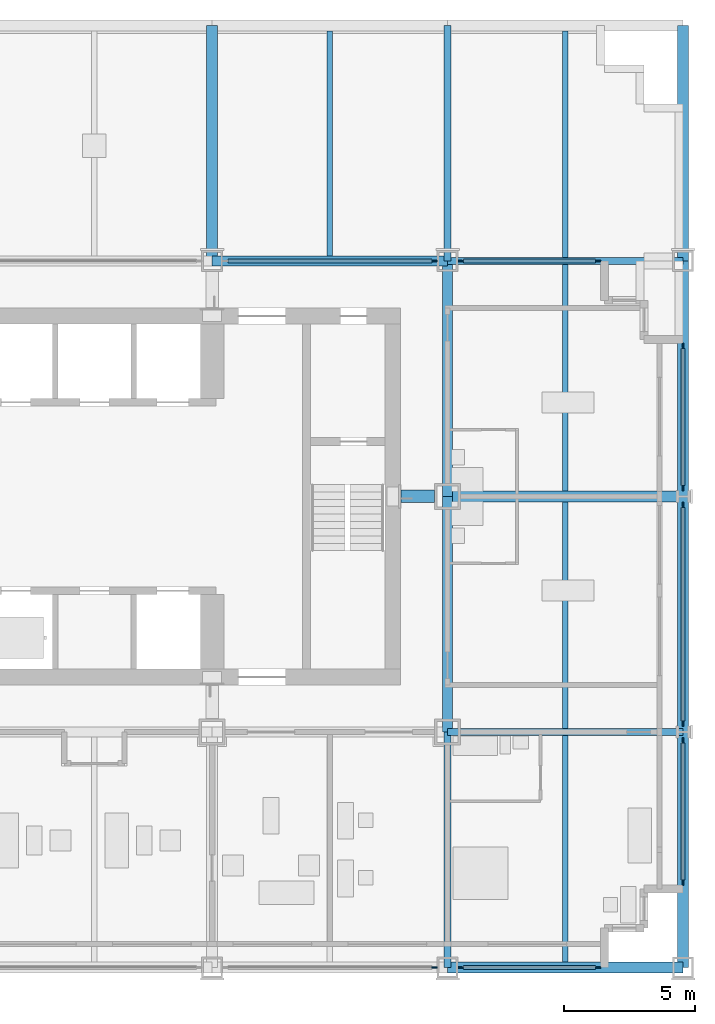
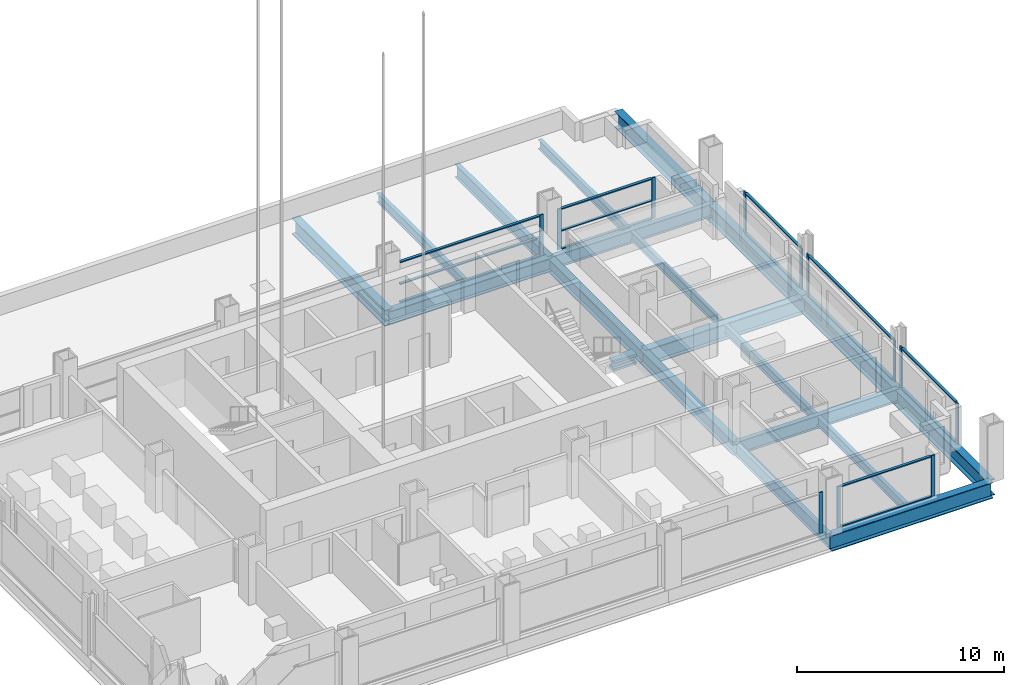
# One storey, part 5 of 15: 27 members, 19 beams, 7 elements without a shape of their own.
"""IFC4 building model written with IfcOpenShell, lengths in metres."""

from ifc_helpers import new_model, si_unit, direction, frame, origin, origin_2d, place, context, subcontext, project, spatial, rectangle, i_section, extrude, material, material_profile, profile_set, type_object, element, aggregate, save


model = new_model("IFC4")

# Units and contexts
model_context = context("Model", 3, precision=1e-05, world=origin(), true_north=direction((0.0, 1.0)))
body_context = subcontext(model_context, "Body", "Model", "MODEL_VIEW")
ifc_project = project(units=[si_unit("LENGTHUNIT", "METRE"), si_unit("AREAUNIT", "SQUARE_METRE"), si_unit("VOLUMEUNIT", "CUBIC_METRE"), si_unit("PLANEANGLEUNIT", "RADIAN"), si_unit("MASSUNIT", "GRAM", prefix="KILO")], contexts=[model_context])

# Site, building, storey
site_placement = place(None, origin())
site = spatial("IfcSite", under=ifc_project, at=site_placement, CompositionType="ELEMENT")
building_placement = place(site_placement, origin())
building = spatial("IfcBuilding", under=site, at=building_placement, Name="Loomwork Tower", CompositionType="ELEMENT")
storey_placement = place(building_placement, frame((0.0, 0.0, 160.39990234375)))
storey = spatial("IfcBuildingStorey", under=building, at=storey_placement, Name="L43", CompositionType="ELEMENT", Elevation=160.39990234375)

# Beams
ifc_material_1 = material(Name="Steel ASTM A992", Category="steel")
ifc_material_profile_1 = material_profile(ifc_material_1, i_section(OverallWidth=0.424072265625, OverallDepth=0.947509765625, WebThickness=0.02392578125, FlangeThickness=0.042724609375, at=origin_2d()), Name="W36x302")
ifc_profile_set_1 = profile_set([ifc_material_profile_1], Name="Steel ASTM A992")
beam_type_1 = type_object("IfcBeamType", Name="BELT CHORD SPANDREL W36x302", PredefinedType="SPANDREL", material=ifc_profile_set_1)
for number, where, z_axis, x_axis, name in (
    (1, (36.0, 0.0, -0.673583984375), (1.0, 0.0, 0.0), (0.0, 1.0, 0.0), "Belt Chord Spandrel D/6-D/7 L43"),
    (2, (45.0, 0.0, -0.673583984375), (0.0, 1.0, 0.0), (-1.0, 0.0, 0.0), "Belt Chord Spandrel D/7-E/7 L43"),
    (3, (45.0, 9.0, -0.673583984375), (0.0, 1.0, 0.0), (-1.0, 0.0, 0.0), "Belt Chord Spandrel E/7-F/7 L43"),
    (4, (45.0, 18.0, -0.673583984375), (0.0, 1.0, 0.0), (-1.0, 0.0, 0.0), "Belt Chord Spandrel F/7-G/7 L43"),
    (5, (45.0, 27.0, -0.673583984375), (0.0, 1.0, 0.0), (-1.0, 0.0, 0.0), "Belt Chord Spandrel G/7-H/7 L43"),
):
    element("IfcBeam", number, at=place(storey_placement, frame(where, z_axis=z_axis, x_axis=x_axis)), inside=storey, type_object=beam_type_1, Name=name, PredefinedType="SPANDREL", context=body_context, shape_type="SweptSolid", body=[
        extrude(i_section(OverallWidth=0.424072265625, OverallDepth=0.947509765625, WebThickness=0.02392578125, FlangeThickness=0.042724609375, at=origin_2d()), origin(), (0.0, 0.0, 1.0), 9.0),
    ])
ifc_material_2 = material(Name="Steel ASTM A992", Category="steel")
ifc_material_profile_2 = material_profile(ifc_material_2, i_section(OverallWidth=0.383544921875, OverallDepth=0.794921875, WebThickness=0.02099609375, FlangeThickness=0.0380859375, at=origin_2d()), Name="W30x235")
ifc_profile_set_2 = profile_set([ifc_material_profile_2], Name="Steel ASTM A992")
beam_type_2 = type_object("IfcBeamType", Name="CORE FLANK GIRDER W30x235", PredefinedType="BEAM", material=ifc_profile_set_2)
for number, where, z_axis, x_axis, name in (
    (6, (27.0, 27.0, -0.597412109375), (1.0, 0.0, 0.0), (0.0, 1.0, 0.0), "Core Flank Girder G/5-G/6 L43"),
    (7, (36.0, 9.0, -0.597412109375), (0.0, 1.0, 0.0), (-1.0, 0.0, 0.0), "Core Flank Girder E/6-F/6 L43"),
    (8, (36.0, 18.0, -0.597412109375), (0.0, 1.0, 0.0), (-1.0, 0.0, 0.0), "Core Flank Girder F/6-G/6 L43"),
):
    element("IfcBeam", number, at=place(storey_placement, frame(where, z_axis=z_axis, x_axis=x_axis)), inside=storey, type_object=beam_type_2, Name=name, PredefinedType="BEAM", context=body_context, shape_type="SweptSolid", body=[
        extrude(i_section(OverallWidth=0.383544921875, OverallDepth=0.794921875, WebThickness=0.02099609375, FlangeThickness=0.0380859375, at=origin_2d()), origin(), (0.0, 0.0, 1.0), 9.0),
    ])
ifc_material_3 = material(Name="Steel ASTM A992", Category="steel")
ifc_material_profile_3 = material_profile(ifc_material_3, i_section(OverallWidth=0.2666015625, OverallDepth=0.761962890625, WebThickness=0.014404296875, FlangeThickness=0.021484375, at=origin_2d()), Name="W30x116")
ifc_profile_set_3 = profile_set([ifc_material_profile_3], Name="Steel ASTM A992")
beam_type_3 = type_object("IfcBeamType", Name="FLOOR GIRDER W30x116", PredefinedType="BEAM", material=ifc_profile_set_3)
for number, where, z_axis, x_axis, name in (
    (9, (36.0, 9.0, -0.580810546875), (1.0, 0.0, 0.0), (0.0, 1.0, 0.0), "Floor Girder E/6-E/7 L43"),
    (10, (36.0, 27.0, -0.580810546875), (1.0, 0.0, 0.0), (0.0, 1.0, 0.0), "Floor Girder G/6-G/7 L43"),
    (11, (36.0, 0.0, -0.580810546875), (0.0, 1.0, 0.0), (-1.0, 0.0, 0.0), "Floor Girder D/6-E/6 L43"),
    (12, (36.0, 27.0, -0.580810546875), (0.0, 1.0, 0.0), (-1.0, 0.0, 0.0), "Floor Girder G/6-H/6 L43"),
):
    element("IfcBeam", number, at=place(storey_placement, frame(where, z_axis=z_axis, x_axis=x_axis)), inside=storey, type_object=beam_type_3, Name=name, PredefinedType="BEAM", context=body_context, shape_type="SweptSolid", body=[
        extrude(i_section(OverallWidth=0.2666015625, OverallDepth=0.761962890625, WebThickness=0.014404296875, FlangeThickness=0.021484375, at=origin_2d()), origin(), (0.0, 0.0, 1.0), 9.0),
    ])
ifc_material_4 = material(Name="Steel ASTM A992", Category="steel")
ifc_material_profile_4 = material_profile(ifc_material_4, i_section(OverallWidth=0.21240234375, OverallDepth=0.54345703125, WebThickness=0.01318359375, FlangeThickness=0.021240234375, at=origin_2d()), Name="W21x83")
ifc_profile_set_4 = profile_set([ifc_material_profile_4], Name="Steel ASTM A992")
beam_type_4 = type_object("IfcBeamType", Name="FLOOR JOIST W21x83", PredefinedType="JOIST", material=ifc_profile_set_4)
beam_placement = place(storey_placement, frame((31.5, 27.19091796875, -0.4716796875), z_axis=(0.0, 1.0, 0.0), x_axis=(-1.0, 0.0, 0.0)))
element("IfcBeam", 13, at=beam_placement, inside=storey, type_object=beam_type_4, Name="Floor Joist 31.500,27.000-31.500,36.000 L43", PredefinedType="JOIST", context=body_context, shape_type="SweptSolid", body=[
    extrude(i_section(OverallWidth=0.21240234375, OverallDepth=0.54345703125, WebThickness=0.01318359375, FlangeThickness=0.021240234375, at=origin_2d()), origin(), (0.0, 0.0, 1.0), 8.59716796875),
])
for number, where, z_axis, x_axis, name in (
    (14, (40.5, 0.2119140625, -0.4716796875), (0.0, 1.0, 0.0), (-1.0, 0.0, 0.0), "Floor Joist 40.500,0.000-40.500,9.000 L43"),
    (15, (40.5, 9.133056640625, -0.4716796875), (0.0, 1.0, 0.0), (-1.0, 0.0, 0.0), "Floor Joist 40.500,9.000-40.500,18.000 L43"),
    (16, (40.5, 18.2119140625, -0.4716796875), (0.0, 1.0, 0.0), (-1.0, 0.0, 0.0), "Floor Joist 40.500,18.000-40.500,27.000 L43"),
    (17, (40.5, 27.133056640625, -0.4716796875), (0.0, 1.0, 0.0), (-1.0, 0.0, 0.0), "Floor Joist 40.500,27.000-40.500,36.000 L43"),
):
    element("IfcBeam", number, at=place(storey_placement, frame(where, z_axis=z_axis, x_axis=x_axis)), inside=storey, type_object=beam_type_4, Name=name, PredefinedType="JOIST", context=body_context, shape_type="SweptSolid", body=[
        extrude(i_section(OverallWidth=0.21240234375, OverallDepth=0.54345703125, WebThickness=0.01318359375, FlangeThickness=0.021240234375, at=origin_2d()), origin(), (0.0, 0.0, 1.0), 8.655029296875),
    ])
ifc_material_5 = material(Name="Steel ASTM A992", Category="steel")
ifc_material_profile_5 = material_profile(ifc_material_5, i_section(OverallWidth=0.424072265625, OverallDepth=0.947509765625, WebThickness=0.02392578125, FlangeThickness=0.042724609375, at=origin_2d()), Name="W36x302")
ifc_profile_set_5 = profile_set([ifc_material_profile_5], Name="Steel ASTM A992")
beam_type_5 = type_object("IfcBeamType", Name="OUTRIGGER GIRDER W36x302", PredefinedType="BEAM", material=ifc_profile_set_5)
for number, where, z_axis, x_axis, name in (
    (18, (36.0, 18.0, -0.673583984375), (1.0, 0.0, 0.0), (0.0, 1.0, 0.0), "Outrigger Girder F/6-F/7 L43"),
    (19, (27.0, 27.0, -0.673583984375), (0.0, 1.0, 0.0), (-1.0, 0.0, 0.0), "Outrigger Girder G/5-H/5 L43"),
):
    element("IfcBeam", number, at=place(storey_placement, frame(where, z_axis=z_axis, x_axis=x_axis)), inside=storey, type_object=beam_type_5, Name=name, PredefinedType="BEAM", context=body_context, shape_type="SweptSolid", body=[
        extrude(i_section(OverallWidth=0.424072265625, OverallDepth=0.947509765625, WebThickness=0.02392578125, FlangeThickness=0.042724609375, at=origin_2d()), origin(), (0.0, 0.0, 1.0), 9.0),
    ])

# Member
ifc_material_6 = material(Name="Steel ASTM A992", Category="steel")
ifc_material_profile_6 = material_profile(ifc_material_6, i_section(OverallWidth=0.4775390625, OverallDepth=0.599365234375, WebThickness=0.10009765625, FlangeThickness=0.139892578125, at=origin_2d()), Name="W14x873")
ifc_profile_set_6 = profile_set([ifc_material_profile_6], Name="Steel ASTM A992")
member_type_1 = type_object("IfcMemberType", Name="OUTRIGGER STRUT W14x873", PredefinedType="STRUT", material=ifc_profile_set_6)
member_1_placement = place(storey_placement, frame((35.489990234375, 18.0, -0.49951171875), z_axis=(-1.0, 0.0, 0.0), x_axis=(0.0, -1.0, 0.0)))
element("IfcMember", 20, at=member_1_placement, inside=storey, type_object=member_type_1, Name="Outrigger strut F/6-33.900,18.000 L43", PredefinedType="STRUT", context=body_context, shape_type="SweptSolid", body=[
    extrude(i_section(OverallWidth=0.4775390625, OverallDepth=0.599365234375, WebThickness=0.10009765625, FlangeThickness=0.139892578125, at=origin_2d()), origin(), (0.0, 0.0, 1.0), 1.27490234375),
])

# Curtain wall, member
ifc_material_7 = material(Name="Aluminium curtain wall frame", Category="aluminium")
curtain_wall_type_1 = type_object("IfcCurtainWallType", Name="Outer skin glazing hotel", PredefinedType="NOTDEFINED", material=ifc_material_7)
curtain_wall_1_placement = place(storey_placement, origin())
curtain_wall_1 = element("IfcCurtainWall", 21, at=curtain_wall_1_placement, inside=storey, type_object=curtain_wall_type_1, Name="Outer skin glazing hotel cw/S-27", PredefinedType="NOTDEFINED")
ifc_material_8 = material(Name="Aluminium curtain wall frame", Category="aluminium")
ifc_material_profile_7 = material_profile(ifc_material_8, rectangle(XDim=0.06494140625, YDim=0.199951171875, at=origin_2d()), Name="AL 65x200")
ifc_profile_set_7 = profile_set([ifc_material_profile_7], Name="Aluminium curtain wall frame")
member_type_2 = type_object("IfcMemberType", Name="Outer skin glazing hotel mullion", PredefinedType="MULLION", material=ifc_profile_set_7)
member_2_placement = place(storey_placement, frame((35.5, 0.0, 0.0), z_axis=(0.0, 0.0, 1.0), x_axis=(0.0, 1.0, 0.0)))
member_2 = element("IfcMember", 22, at=member_2_placement, type_object=member_type_2, Name="CW1 mullion 2", PredefinedType="MULLION", context=body_context, shape_type="SweptSolid", body=[
    extrude(rectangle(XDim=0.06494140625, YDim=0.199951171875, at=origin_2d()), origin(), (0.0, 0.0, 1.0), 2.42041015625),
])
aggregate(curtain_wall_1, [member_2])

# Curtain wall, members
curtain_wall_2_placement = place(storey_placement, origin())
curtain_wall_2 = element("IfcCurtainWall", 23, at=curtain_wall_2_placement, inside=storey, type_object=curtain_wall_type_1, Name="Outer skin glazing hotel cw/S-36", PredefinedType="NOTDEFINED")
member_3_placement = place(storey_placement, frame((36.5, 0.0, 0.0), z_axis=(0.0, 0.0, 1.0), x_axis=(0.0, 1.0, 0.0)))
member_3 = element("IfcMember", 24, at=member_3_placement, type_object=member_type_2, Name="CW1 mullion 1", PredefinedType="MULLION", context=body_context, shape_type="SweptSolid", body=[
    extrude(rectangle(XDim=0.06494140625, YDim=0.199951171875, at=origin_2d()), origin(), (0.0, 0.0, 1.0), 2.42041015625),
])
member_4_placement = place(storey_placement, frame((41.75, 0.0, 0.0), z_axis=(0.0, 0.0, 1.0), x_axis=(0.0, 1.0, 0.0)))
member_4 = element("IfcMember", 25, at=member_4_placement, type_object=member_type_2, Name="CW1 mullion 2", PredefinedType="MULLION", context=body_context, shape_type="SweptSolid", body=[
    extrude(rectangle(XDim=0.06494140625, YDim=0.199951171875, at=origin_2d()), origin(), (0.0, 0.0, 1.0), 2.42041015625),
])

curtain_wall_3_placement = place(storey_placement, origin())
curtain_wall_3 = element("IfcCurtainWall", 26, at=curtain_wall_3_placement, inside=storey, type_object=curtain_wall_type_1, Name="Outer skin glazing hotel cw/E-0", PredefinedType="NOTDEFINED")
member_5_placement = place(storey_placement, frame((45.0, 3.25, 0.0), z_axis=(0.0, 0.0, 1.0), x_axis=(-1.0, 0.0, 0.0)))
member_5 = element("IfcMember", 27, at=member_5_placement, type_object=member_type_2, Name="CW1 mullion 1", PredefinedType="MULLION", context=body_context, shape_type="SweptSolid", body=[
    extrude(rectangle(XDim=0.06494140625, YDim=0.199951171875, at=origin_2d()), origin(), (0.0, 0.0, 1.0), 2.42041015625),
])
member_6_placement = place(storey_placement, frame((45.0, 8.67529296875, 0.0), z_axis=(0.0, 0.0, 1.0), x_axis=(-1.0, 0.0, 0.0)))
member_6 = element("IfcMember", 28, at=member_6_placement, type_object=member_type_2, Name="CW1 mullion 2", PredefinedType="MULLION", context=body_context, shape_type="SweptSolid", body=[
    extrude(rectangle(XDim=0.06494140625, YDim=0.199951171875, at=origin_2d()), origin(), (0.0, 0.0, 1.0), 2.42041015625),
])

curtain_wall_4_placement = place(storey_placement, origin())
curtain_wall_4 = element("IfcCurtainWall", 29, at=curtain_wall_4_placement, inside=storey, type_object=curtain_wall_type_1, Name="Outer skin glazing hotel cw/E-9", PredefinedType="NOTDEFINED")
member_7_placement = place(storey_placement, frame((45.0, 9.32470703125, 0.0), z_axis=(0.0, 0.0, 1.0), x_axis=(-1.0, 0.0, 0.0)))
member_7 = element("IfcMember", 30, at=member_7_placement, type_object=member_type_2, Name="CW1 mullion 1", PredefinedType="MULLION", context=body_context, shape_type="SweptSolid", body=[
    extrude(rectangle(XDim=0.06494140625, YDim=0.199951171875, at=origin_2d()), origin(), (0.0, 0.0, 1.0), 2.42041015625),
])
member_8_placement = place(storey_placement, frame((45.0, 17.67529296875, 0.0), z_axis=(0.0, 0.0, 1.0), x_axis=(-1.0, 0.0, 0.0)))
member_8 = element("IfcMember", 31, at=member_8_placement, type_object=member_type_2, Name="CW1 mullion 2", PredefinedType="MULLION", context=body_context, shape_type="SweptSolid", body=[
    extrude(rectangle(XDim=0.06494140625, YDim=0.199951171875, at=origin_2d()), origin(), (0.0, 0.0, 1.0), 2.42041015625),
])

curtain_wall_5_placement = place(storey_placement, origin())
curtain_wall_5 = element("IfcCurtainWall", 32, at=curtain_wall_5_placement, inside=storey, type_object=curtain_wall_type_1, Name="Outer skin glazing hotel cw/E-18", PredefinedType="NOTDEFINED")
member_9_placement = place(storey_placement, frame((45.0, 18.32470703125, 0.0), z_axis=(0.0, 0.0, 1.0), x_axis=(-1.0, 0.0, 0.0)))
member_9 = element("IfcMember", 33, at=member_9_placement, type_object=member_type_2, Name="CW1 mullion 1", PredefinedType="MULLION", context=body_context, shape_type="SweptSolid", body=[
    extrude(rectangle(XDim=0.06494140625, YDim=0.199951171875, at=origin_2d()), origin(), (0.0, 0.0, 1.0), 2.42041015625),
])
member_10_placement = place(storey_placement, frame((45.0, 23.75, 0.0), z_axis=(0.0, 0.0, 1.0), x_axis=(-1.0, 0.0, 0.0)))
member_10 = element("IfcMember", 34, at=member_10_placement, type_object=member_type_2, Name="CW1 mullion 2", PredefinedType="MULLION", context=body_context, shape_type="SweptSolid", body=[
    extrude(rectangle(XDim=0.06494140625, YDim=0.199951171875, at=origin_2d()), origin(), (0.0, 0.0, 1.0), 2.42041015625),
])

# Member
ifc_material_9 = material(Name="Aluminium curtain wall frame", Category="aluminium")
ifc_material_profile_8 = material_profile(ifc_material_9, rectangle(XDim=0.14990234375, YDim=0.06494140625, at=origin_2d()), Name="AL 65x150")
ifc_profile_set_8 = profile_set([ifc_material_profile_8], Name="Aluminium curtain wall frame")
member_type_3 = type_object("IfcMemberType", Name="Outer skin glazing hotel transom", PredefinedType="USERDEFINED", material=ifc_profile_set_8)
member_11_placement = place(storey_placement, frame((36.60009765625, 0.0, 0.03271484375), z_axis=(1.0, 0.0, 0.0), x_axis=(0.0, 1.0, 0.0)))
member_11 = element("IfcMember", 35, at=member_11_placement, type_object=member_type_3, Name="CW1 transom 1.1", ObjectType="TRANSOM", PredefinedType="USERDEFINED", context=body_context, shape_type="SweptSolid", body=[
    extrude(rectangle(XDim=0.14990234375, YDim=0.06494140625, at=origin_2d()), origin(), (0.0, 0.0, 1.0), 5.0498046875),
])

member_12_placement = place(storey_placement, frame((36.60009765625, 0.0, 2.3876953125), z_axis=(1.0, 0.0, 0.0), x_axis=(0.0, 1.0, 0.0)))
member_12 = element("IfcMember", 36, at=member_12_placement, type_object=member_type_3, Name="CW1 transom 1.2", ObjectType="TRANSOM", PredefinedType="USERDEFINED", context=body_context, shape_type="SweptSolid", body=[
    extrude(rectangle(XDim=0.14990234375, YDim=0.06494140625, at=origin_2d()), origin(), (0.0, 0.0, 1.0), 5.0498046875),
])

aggregate(curtain_wall_2, [member_3, member_4, member_11, member_12])

member_13_placement = place(storey_placement, frame((45.0, 3.35009765625, 0.03271484375), z_axis=(0.0, 1.0, 0.0), x_axis=(-1.0, 0.0, 0.0)))
member_13 = element("IfcMember", 37, at=member_13_placement, type_object=member_type_3, Name="CW1 transom 1.1", ObjectType="TRANSOM", PredefinedType="USERDEFINED", context=body_context, shape_type="SweptSolid", body=[
    extrude(rectangle(XDim=0.14990234375, YDim=0.06494140625, at=origin_2d()), origin(), (0.0, 0.0, 1.0), 5.22509765625),
])

member_14_placement = place(storey_placement, frame((45.0, 3.35009765625, 2.3876953125), z_axis=(0.0, 1.0, 0.0), x_axis=(-1.0, 0.0, 0.0)))
member_14 = element("IfcMember", 38, at=member_14_placement, type_object=member_type_3, Name="CW1 transom 1.2", ObjectType="TRANSOM", PredefinedType="USERDEFINED", context=body_context, shape_type="SweptSolid", body=[
    extrude(rectangle(XDim=0.14990234375, YDim=0.06494140625, at=origin_2d()), origin(), (0.0, 0.0, 1.0), 5.22509765625),
])

aggregate(curtain_wall_3, [member_5, member_6, member_13, member_14])

member_15_placement = place(storey_placement, frame((45.0, 9.4248046875, 0.03271484375), z_axis=(0.0, 1.0, 0.0), x_axis=(-1.0, 0.0, 0.0)))
member_15 = element("IfcMember", 39, at=member_15_placement, type_object=member_type_3, Name="CW1 transom 1.1", ObjectType="TRANSOM", PredefinedType="USERDEFINED", context=body_context, shape_type="SweptSolid", body=[
    extrude(rectangle(XDim=0.14990234375, YDim=0.06494140625, at=origin_2d()), origin(), (0.0, 0.0, 1.0), 8.150390625),
])

member_16_placement = place(storey_placement, frame((45.0, 9.4248046875, 2.3876953125), z_axis=(0.0, 1.0, 0.0), x_axis=(-1.0, 0.0, 0.0)))
member_16 = element("IfcMember", 40, at=member_16_placement, type_object=member_type_3, Name="CW1 transom 1.2", ObjectType="TRANSOM", PredefinedType="USERDEFINED", context=body_context, shape_type="SweptSolid", body=[
    extrude(rectangle(XDim=0.14990234375, YDim=0.06494140625, at=origin_2d()), origin(), (0.0, 0.0, 1.0), 8.150390625),
])

aggregate(curtain_wall_4, [member_7, member_8, member_15, member_16])

member_17_placement = place(storey_placement, frame((45.0, 18.4248046875, 0.03271484375), z_axis=(0.0, 1.0, 0.0), x_axis=(-1.0, 0.0, 0.0)))
member_17 = element("IfcMember", 41, at=member_17_placement, type_object=member_type_3, Name="CW1 transom 1.1", ObjectType="TRANSOM", PredefinedType="USERDEFINED", context=body_context, shape_type="SweptSolid", body=[
    extrude(rectangle(XDim=0.14990234375, YDim=0.06494140625, at=origin_2d()), origin(), (0.0, 0.0, 1.0), 5.22509765625),
])

member_18_placement = place(storey_placement, frame((45.0, 18.4248046875, 2.3876953125), z_axis=(0.0, 1.0, 0.0), x_axis=(-1.0, 0.0, 0.0)))
member_18 = element("IfcMember", 42, at=member_18_placement, type_object=member_type_3, Name="CW1 transom 1.2", ObjectType="TRANSOM", PredefinedType="USERDEFINED", context=body_context, shape_type="SweptSolid", body=[
    extrude(rectangle(XDim=0.14990234375, YDim=0.06494140625, at=origin_2d()), origin(), (0.0, 0.0, 1.0), 5.22509765625),
])

aggregate(curtain_wall_5, [member_9, member_10, member_17, member_18])

# Curtain wall, member
ifc_material_10 = material(Name="Aluminium curtain wall frame", Category="aluminium")
curtain_wall_type_2 = type_object("IfcCurtainWallType", Name="Single skin glazing corridor", PredefinedType="NOTDEFINED", material=ifc_material_10)
curtain_wall_6_placement = place(storey_placement, origin())
curtain_wall_6 = element("IfcCurtainWall", 43, at=curtain_wall_6_placement, inside=storey, type_object=curtain_wall_type_2, Name="Single skin glazing corridor cw/N-27", PredefinedType="NOTDEFINED")
ifc_material_11 = material(Name="Aluminium curtain wall frame", Category="aluminium")
ifc_material_profile_9 = material_profile(ifc_material_11, rectangle(XDim=0.06494140625, YDim=0.199951171875, at=origin_2d()), Name="AL 65x200")
ifc_profile_set_9 = profile_set([ifc_material_profile_9], Name="Aluminium curtain wall frame")
member_type_4 = type_object("IfcMemberType", Name="Single skin glazing corridor mullion", PredefinedType="MULLION", material=ifc_profile_set_9)
member_19_placement = place(storey_placement, frame((35.5, 27.0, 0.0), z_axis=(0.0, 0.0, 1.0), x_axis=(0.0, -1.0, 0.0)))
member_19 = element("IfcMember", 44, at=member_19_placement, type_object=member_type_4, Name="CW3 mullion 1", PredefinedType="MULLION", context=body_context, shape_type="SweptSolid", body=[
    extrude(rectangle(XDim=0.06494140625, YDim=0.199951171875, at=origin_2d()), origin(), (0.0, 0.0, 1.0), 2.42041015625),
])

# Curtain wall, members
curtain_wall_7_placement = place(storey_placement, origin())
curtain_wall_7 = element("IfcCurtainWall", 45, at=curtain_wall_7_placement, inside=storey, type_object=curtain_wall_type_2, Name="Single skin glazing corridor cw/N-36", PredefinedType="NOTDEFINED")
member_20_placement = place(storey_placement, frame((41.75, 27.0, 0.0), z_axis=(0.0, 0.0, 1.0), x_axis=(0.0, -1.0, 0.0)))
member_20 = element("IfcMember", 46, at=member_20_placement, type_object=member_type_4, Name="CW3 mullion 1", PredefinedType="MULLION", context=body_context, shape_type="SweptSolid", body=[
    extrude(rectangle(XDim=0.06494140625, YDim=0.199951171875, at=origin_2d()), origin(), (0.0, 0.0, 1.0), 2.42041015625),
])
member_21_placement = place(storey_placement, frame((36.5, 27.0, 0.0), z_axis=(0.0, 0.0, 1.0), x_axis=(0.0, -1.0, 0.0)))
member_21 = element("IfcMember", 47, at=member_21_placement, type_object=member_type_4, Name="CW3 mullion 2", PredefinedType="MULLION", context=body_context, shape_type="SweptSolid", body=[
    extrude(rectangle(XDim=0.06494140625, YDim=0.199951171875, at=origin_2d()), origin(), (0.0, 0.0, 1.0), 2.42041015625),
])

# Member
ifc_material_12 = material(Name="Aluminium curtain wall frame", Category="aluminium")
ifc_material_profile_10 = material_profile(ifc_material_12, rectangle(XDim=0.14990234375, YDim=0.06494140625, at=origin_2d()), Name="AL 65x150")
ifc_profile_set_10 = profile_set([ifc_material_profile_10], Name="Aluminium curtain wall frame")
member_type_5 = type_object("IfcMemberType", Name="Single skin glazing corridor transom", PredefinedType="USERDEFINED", material=ifc_profile_set_10)
member_22_placement = place(storey_placement, frame((35.39990234375, 27.0, 0.03271484375), z_axis=(-1.0, 0.0, 0.0), x_axis=(0.0, -1.0, 0.0)))
member_22 = element("IfcMember", 48, at=member_22_placement, type_object=member_type_5, Name="CW3 transom 1.1", ObjectType="TRANSOM", PredefinedType="USERDEFINED", context=body_context, shape_type="SweptSolid", body=[
    extrude(rectangle(XDim=0.14990234375, YDim=0.06494140625, at=origin_2d()), origin(), (0.0, 0.0, 1.0), 7.7998046875),
])

member_23_placement = place(storey_placement, frame((35.39990234375, 27.0, 1.10009765625), z_axis=(-1.0, 0.0, 0.0), x_axis=(0.0, -1.0, 0.0)))
member_23 = element("IfcMember", 49, at=member_23_placement, type_object=member_type_5, Name="CW3 transom 1.2", ObjectType="TRANSOM", PredefinedType="USERDEFINED", context=body_context, shape_type="SweptSolid", body=[
    extrude(rectangle(XDim=0.14990234375, YDim=0.06494140625, at=origin_2d()), origin(), (0.0, 0.0, 1.0), 7.7998046875),
])

member_24_placement = place(storey_placement, frame((35.39990234375, 27.0, 2.3876953125), z_axis=(-1.0, 0.0, 0.0), x_axis=(0.0, -1.0, 0.0)))
member_24 = element("IfcMember", 50, at=member_24_placement, type_object=member_type_5, Name="CW3 transom 1.3", ObjectType="TRANSOM", PredefinedType="USERDEFINED", context=body_context, shape_type="SweptSolid", body=[
    extrude(rectangle(XDim=0.14990234375, YDim=0.06494140625, at=origin_2d()), origin(), (0.0, 0.0, 1.0), 7.7998046875),
])

aggregate(curtain_wall_6, [member_19, member_22, member_23, member_24])

member_25_placement = place(storey_placement, frame((41.64990234375, 27.0, 0.03271484375), z_axis=(-1.0, 0.0, 0.0), x_axis=(0.0, -1.0, 0.0)))
member_25 = element("IfcMember", 51, at=member_25_placement, type_object=member_type_5, Name="CW3 transom 1.1", ObjectType="TRANSOM", PredefinedType="USERDEFINED", context=body_context, shape_type="SweptSolid", body=[
    extrude(rectangle(XDim=0.14990234375, YDim=0.06494140625, at=origin_2d()), origin(), (0.0, 0.0, 1.0), 5.0498046875),
])

member_26_placement = place(storey_placement, frame((41.64990234375, 27.0, 1.10009765625), z_axis=(-1.0, 0.0, 0.0), x_axis=(0.0, -1.0, 0.0)))
member_26 = element("IfcMember", 52, at=member_26_placement, type_object=member_type_5, Name="CW3 transom 1.2", ObjectType="TRANSOM", PredefinedType="USERDEFINED", context=body_context, shape_type="SweptSolid", body=[
    extrude(rectangle(XDim=0.14990234375, YDim=0.06494140625, at=origin_2d()), origin(), (0.0, 0.0, 1.0), 5.0498046875),
])

member_27_placement = place(storey_placement, frame((41.64990234375, 27.0, 2.3876953125), z_axis=(-1.0, 0.0, 0.0), x_axis=(0.0, -1.0, 0.0)))
member_27 = element("IfcMember", 53, at=member_27_placement, type_object=member_type_5, Name="CW3 transom 1.3", ObjectType="TRANSOM", PredefinedType="USERDEFINED", context=body_context, shape_type="SweptSolid", body=[
    extrude(rectangle(XDim=0.14990234375, YDim=0.06494140625, at=origin_2d()), origin(), (0.0, 0.0, 1.0), 5.0498046875),
])

aggregate(curtain_wall_7, [member_20, member_21, member_25, member_26, member_27])

save(model, "model.ifc")
